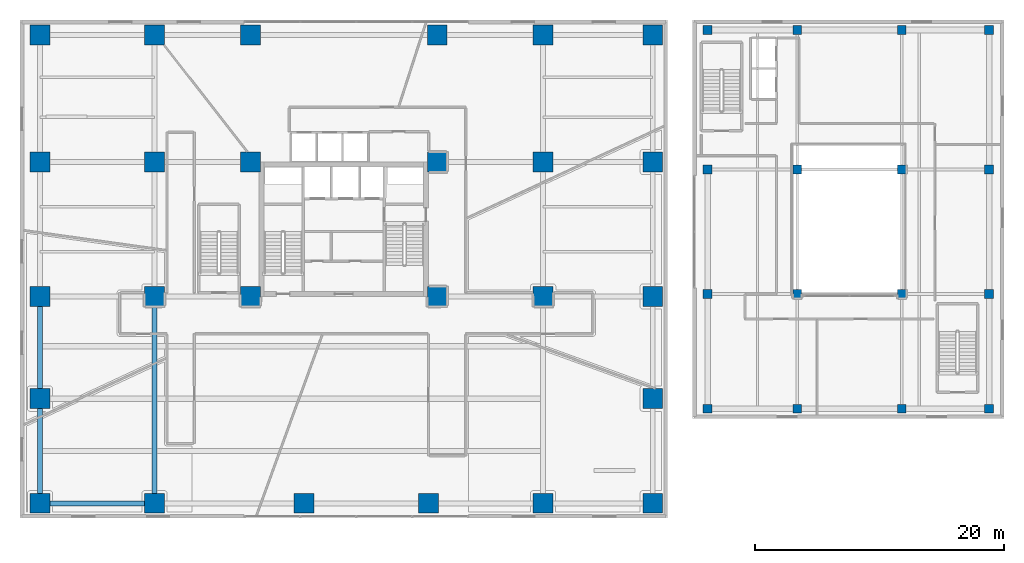
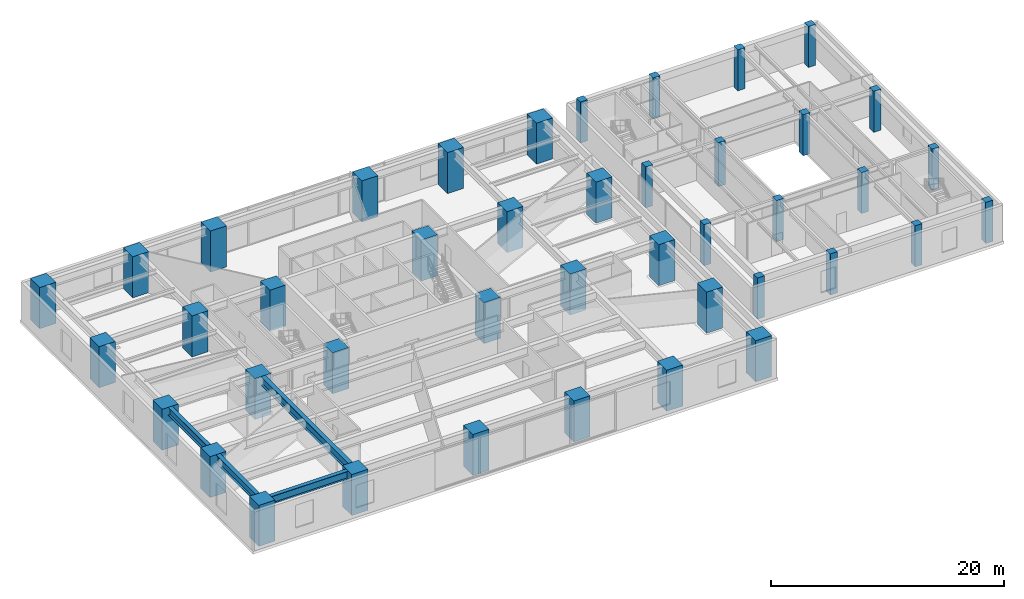
# One storey, part 1 of 25: 42 columns, 4 beams.
"""IFC4 building model written with IfcOpenShell, lengths in metres."""

from ifc_helpers import new_model, si_unit, direction, frame, origin, origin_2d, place, context, subcontext, project, spatial, rectangle, i_section, extrude, material, material_profile, profile_set, type_object, element, save


model = new_model("IFC4")

# Units and contexts
model_context = context("Model", 3, precision=1e-05, world=origin(), true_north=direction((0.0, 1.0)))
body_context = subcontext(model_context, "Body", "Model", "MODEL_VIEW")
ifc_project = project(units=[si_unit("LENGTHUNIT", "METRE"), si_unit("AREAUNIT", "SQUARE_METRE"), si_unit("VOLUMEUNIT", "CUBIC_METRE"), si_unit("PLANEANGLEUNIT", "RADIAN"), si_unit("MASSUNIT", "GRAM", prefix="KILO")], contexts=[model_context])

# Site, building, storey
site_placement = place(None, origin())
site = spatial("IfcSite", under=ifc_project, at=site_placement, CompositionType="ELEMENT")
building_placement = place(site_placement, origin())
building = spatial("IfcBuilding", under=site, at=building_placement, Name="Talar Marvaseh", CompositionType="ELEMENT")
storey_placement = place(building_placement, frame((0.0, 0.0, 5.199951171875)))
storey = spatial("IfcBuildingStorey", under=building, at=storey_placement, Name="L01", CompositionType="ELEMENT", Elevation=5.199951171875)

# Columns
ifc_material_1 = material(Name="Concrete C40/50", Category="concrete")
ifc_material_profile_1 = material_profile(ifc_material_1, rectangle(XDim=0.699951171875, YDim=0.699951171875, at=origin_2d()), Name="RC700x700")
ifc_profile_set_1 = profile_set([ifc_material_profile_1], Name="Concrete C40/50")
column_type_1 = type_object("IfcColumnType", Name="Market Hall Column RC700x700", PredefinedType="COLUMN", material=ifc_profile_set_1)
for number, where, z_axis, x_axis, name in (
    (1, (55.199951171875, 16.800048828125, 0.0), (0.0, 0.0, 1.0), (1.0, 0.0, 0.0), "L01 Market Hall Column RC700x700"),
    (2, (55.199951171875, 26.0, 0.0), (0.0, 0.0, 1.0), (1.0, 0.0, 0.0), "L01 Market Hall Column RC700x700"),
    (3, (55.199951171875, 36.0, 0.0), (0.0, 0.0, 1.0), (1.0, 0.0, 0.0), "L01 Market Hall Column RC700x700"),
    (4, (55.199951171875, 47.199951171875, 0.0), (0.0, 0.0, 1.0), (1.0, 0.0, 0.0), "L01 Market Hall Column RC700x700"),
    (5, (62.39990234375, 16.800048828125, 0.0), (0.0, 0.0, 1.0), (1.0, 0.0, 0.0), "L01 Market Hall Column RC700x700"),
    (6, (62.39990234375, 26.0, 0.0), (0.0, 0.0, 1.0), (1.0, 0.0, 0.0), "L01 Market Hall Column RC700x700"),
):
    element("IfcColumn", number, at=place(storey_placement, frame(where, z_axis=z_axis, x_axis=x_axis)), inside=storey, type_object=column_type_1, Name=name, PredefinedType="COLUMN", context=body_context, shape_type="SweptSolid", body=[
        extrude(rectangle(XDim=0.699951171875, YDim=0.699951171875, at=origin_2d()), origin(), (0.0, 0.0, 1.0), 4.300048828125),
    ])
column_placement = place(storey_placement, frame((62.39990234375, 36.0, -0.300048828125), z_axis=(0.0, 0.0, 1.0), x_axis=(1.0, 0.0, 0.0)))
element("IfcColumn", 7, at=column_placement, inside=storey, type_object=column_type_1, Name="L01 Market Hall Column RC700x700", PredefinedType="COLUMN", context=body_context, shape_type="SweptSolid", body=[
    extrude(rectangle(XDim=0.699951171875, YDim=0.699951171875, at=origin_2d()), origin(), (0.0, 0.0, 1.0), 4.60009765625),
])
for number, where, z_axis, x_axis, name in (
    (8, (62.39990234375, 47.199951171875, 0.0), (0.0, 0.0, 1.0), (1.0, 0.0, 0.0), "L01 Market Hall Column RC700x700"),
    (9, (70.800048828125, 16.800048828125, 0.0), (0.0, 0.0, 1.0), (1.0, 0.0, 0.0), "L01 Market Hall Column RC700x700"),
    (10, (70.800048828125, 26.0, 0.0), (0.0, 0.0, 1.0), (1.0, 0.0, 0.0), "L01 Market Hall Column RC700x700"),
    (11, (70.800048828125, 36.0, 0.0), (0.0, 0.0, 1.0), (1.0, 0.0, 0.0), "L01 Market Hall Column RC700x700"),
    (12, (70.800048828125, 47.199951171875, 0.0), (0.0, 0.0, 1.0), (1.0, 0.0, 0.0), "L01 Market Hall Column RC700x700"),
    (13, (77.800048828125, 16.800048828125, 0.0), (0.0, 0.0, 1.0), (1.0, 0.0, 0.0), "L01 Market Hall Column RC700x700"),
    (14, (77.800048828125, 26.0, 0.0), (0.0, 0.0, 1.0), (1.0, 0.0, 0.0), "L01 Market Hall Column RC700x700"),
    (15, (77.800048828125, 36.0, 0.0), (0.0, 0.0, 1.0), (1.0, 0.0, 0.0), "L01 Market Hall Column RC700x700"),
    (16, (77.800048828125, 47.199951171875, 0.0), (0.0, 0.0, 1.0), (1.0, 0.0, 0.0), "L01 Market Hall Column RC700x700"),
):
    element("IfcColumn", number, at=place(storey_placement, frame(where, z_axis=z_axis, x_axis=x_axis)), inside=storey, type_object=column_type_1, Name=name, PredefinedType="COLUMN", context=body_context, shape_type="SweptSolid", body=[
        extrude(rectangle(XDim=0.699951171875, YDim=0.699951171875, at=origin_2d()), origin(), (0.0, 0.0, 1.0), 4.300048828125),
    ])
ifc_material_2 = material(Name="Concrete C70/85", Category="concrete")
ifc_material_profile_2 = material_profile(ifc_material_2, rectangle(XDim=1.60009765625, YDim=1.60009765625, at=origin_2d()), Name="RC1600x1600")
ifc_profile_set_2 = profile_set([ifc_material_profile_2], Name="Concrete C70/85")
column_type_2 = type_object("IfcColumnType", Name="Tower Mega Column RC1600x1600", PredefinedType="COLUMN", material=ifc_profile_set_2)
for number, where, z_axis, x_axis, name in (
    (17, (1.60009765625, 9.199951171875, 0.0), (0.0, 0.0, 1.0), (1.0, 0.0, 0.0), "L01 Tower Mega Column RC1600x1600"),
    (18, (1.60009765625, 17.60009765625, 0.0), (0.0, 0.0, 1.0), (1.0, 0.0, 0.0), "L01 Tower Mega Column RC1600x1600"),
    (19, (1.60009765625, 25.800048828125, 0.0), (0.0, 0.0, 1.0), (1.0, 0.0, 0.0), "L01 Tower Mega Column RC1600x1600"),
    (20, (1.60009765625, 36.60009765625, 0.0), (0.0, 0.0, 1.0), (1.0, 0.0, 0.0), "L01 Tower Mega Column RC1600x1600"),
    (21, (1.60009765625, 46.800048828125, 0.0), (0.0, 0.0, 1.0), (1.0, 0.0, 0.0), "L01 Tower Mega Column RC1600x1600"),
    (22, (50.800048828125, 9.199951171875, 0.0), (0.0, 0.0, 1.0), (1.0, 0.0, 0.0), "L01 Tower Mega Column RC1600x1600"),
    (23, (50.800048828125, 17.60009765625, 0.0), (0.0, 0.0, 1.0), (1.0, 0.0, 0.0), "L01 Tower Mega Column RC1600x1600"),
    (24, (50.800048828125, 25.800048828125, 0.0), (0.0, 0.0, 1.0), (1.0, 0.0, 0.0), "L01 Tower Mega Column RC1600x1600"),
    (25, (50.800048828125, 36.60009765625, 0.0), (0.0, 0.0, 1.0), (1.0, 0.0, 0.0), "L01 Tower Mega Column RC1600x1600"),
    (26, (50.800048828125, 46.800048828125, 0.0), (0.0, 0.0, 1.0), (1.0, 0.0, 0.0), "L01 Tower Mega Column RC1600x1600"),
    (27, (10.800048828125, 9.199951171875, 0.0), (0.0, 0.0, 1.0), (1.0, 0.0, 0.0), "L01 Tower Mega Column RC1600x1600"),
    (28, (22.800048828125, 9.199951171875, 0.0), (0.0, 0.0, 1.0), (1.0, 0.0, 0.0), "L01 Tower Mega Column RC1600x1600"),
    (29, (32.800048828125, 9.199951171875, 0.0), (0.0, 0.0, 1.0), (1.0, 0.0, 0.0), "L01 Tower Mega Column RC1600x1600"),
    (30, (42.0, 9.199951171875, 0.0), (0.0, 0.0, 1.0), (1.0, 0.0, 0.0), "L01 Tower Mega Column RC1600x1600"),
    (31, (10.800048828125, 46.800048828125, 0.0), (0.0, 0.0, 1.0), (1.0, 0.0, 0.0), "L01 Tower Mega Column RC1600x1600"),
    (32, (18.5, 46.800048828125, 0.0), (0.0, 0.0, 1.0), (1.0, 0.0, 0.0), "L01 Tower Mega Column RC1600x1600"),
    (33, (33.5, 46.800048828125, 0.0), (0.0, 0.0, 1.0), (1.0, 0.0, 0.0), "L01 Tower Mega Column RC1600x1600"),
    (34, (42.0, 46.800048828125, 0.0), (0.0, 0.0, 1.0), (1.0, 0.0, 0.0), "L01 Tower Mega Column RC1600x1600"),
    (35, (10.800048828125, 25.800048828125, 0.0), (0.0, 0.0, 1.0), (1.0, 0.0, 0.0), "L01 Tower Mega Column RC1600x1600"),
    (36, (10.800048828125, 36.60009765625, 0.0), (0.0, 0.0, 1.0), (1.0, 0.0, 0.0), "L01 Tower Mega Column RC1600x1600"),
    (37, (18.5, 25.800048828125, 0.0), (0.0, 0.0, 1.0), (1.0, 0.0, 0.0), "L01 Tower Mega Column RC1600x1600"),
    (38, (18.5, 36.60009765625, 0.0), (0.0, 0.0, 1.0), (1.0, 0.0, 0.0), "L01 Tower Mega Column RC1600x1600"),
    (39, (33.5, 25.800048828125, 0.0), (0.0, 0.0, 1.0), (1.0, 0.0, 0.0), "L01 Tower Mega Column RC1600x1600"),
    (40, (33.5, 36.60009765625, 0.0), (0.0, 0.0, 1.0), (1.0, 0.0, 0.0), "L01 Tower Mega Column RC1600x1600"),
    (41, (42.0, 25.800048828125, 0.0), (0.0, 0.0, 1.0), (1.0, 0.0, 0.0), "L01 Tower Mega Column RC1600x1600"),
    (42, (42.0, 36.60009765625, 0.0), (0.0, 0.0, 1.0), (1.0, 0.0, 0.0), "L01 Tower Mega Column RC1600x1600"),
):
    element("IfcColumn", number, at=place(storey_placement, frame(where, z_axis=z_axis, x_axis=x_axis)), inside=storey, type_object=column_type_2, Name=name, PredefinedType="COLUMN", context=body_context, shape_type="SweptSolid", body=[
        extrude(rectangle(XDim=1.60009765625, YDim=1.60009765625, at=origin_2d()), origin(), (0.0, 0.0, 1.0), 4.300048828125),
    ])

# Beams
ifc_material_3 = material(Name="Steel S460", Category="steel")
ifc_material_profile_3 = material_profile(ifc_material_3, i_section(OverallWidth=0.41796875, OverallDepth=0.912109375, WebThickness=0.019287109375, FlangeThickness=0.031982421875, at=origin_2d()), Name="W920x342")
ifc_profile_set_3 = profile_set([ifc_material_profile_3], Name="Steel S460")
beam_type_1 = type_object("IfcBeamType", Name="Auditorium Long-Span Girder W920x342", PredefinedType="BEAM", material=ifc_profile_set_3)
beam_1_placement = place(storey_placement, frame((10.800048828125, 9.199951171875, 3.843994140625), z_axis=(0.0, 1.0, 0.0), x_axis=(-1.0, 0.0, 0.0)))
element("IfcBeam", 43, at=beam_1_placement, inside=storey, type_object=beam_type_1, Name="L01 Auditorium Long-Span Girder W920x342", PredefinedType="BEAM", context=body_context, shape_type="SweptSolid", body=[
    extrude(i_section(OverallWidth=0.41796875, OverallDepth=0.912109375, WebThickness=0.019287109375, FlangeThickness=0.031982421875, at=origin_2d()), origin(), (0.0, 0.0, 1.0), 16.60009765625),
])
ifc_material_4 = material(Name="Steel S355", Category="steel")
ifc_material_profile_4 = material_profile(ifc_material_4, i_section(OverallWidth=0.39990234375, OverallDepth=0.85498046875, WebThickness=0.018310546875, FlangeThickness=0.029296875, at=origin_2d()), Name="W840x299")
ifc_profile_set_4 = profile_set([ifc_material_profile_4], Name="Steel S355")
beam_type_2 = type_object("IfcBeamType", Name="Concourse Primary Girder W840x299", PredefinedType="BEAM", material=ifc_profile_set_4)
beam_2_placement = place(storey_placement, frame((1.60009765625, 9.199951171875, 3.87255859375), z_axis=(1.0, 0.0, 0.0), x_axis=(0.0, 1.0, 0.0)))
element("IfcBeam", 44, at=beam_2_placement, inside=storey, type_object=beam_type_2, Name="L01 Concourse Primary Girder W840x299", PredefinedType="BEAM", context=body_context, shape_type="SweptSolid", body=[
    extrude(i_section(OverallWidth=0.39990234375, OverallDepth=0.85498046875, WebThickness=0.018310546875, FlangeThickness=0.029296875, at=origin_2d()), origin(), (0.0, 0.0, 1.0), 9.199951171875),
])
beam_3_placement = place(storey_placement, frame((1.60009765625, 9.199951171875, 3.87255859375), z_axis=(0.0, 1.0, 0.0), x_axis=(-1.0, 0.0, 0.0)))
element("IfcBeam", 45, at=beam_3_placement, inside=storey, type_object=beam_type_2, Name="L01 Concourse Primary Girder W840x299", PredefinedType="BEAM", context=body_context, shape_type="SweptSolid", body=[
    extrude(i_section(OverallWidth=0.39990234375, OverallDepth=0.85498046875, WebThickness=0.018310546875, FlangeThickness=0.029296875, at=origin_2d()), origin(), (0.0, 0.0, 1.0), 8.400146484375),
])
beam_4_placement = place(storey_placement, frame((1.60009765625, 17.60009765625, 3.87255859375), z_axis=(0.0, 1.0, 0.0), x_axis=(-1.0, 0.0, 0.0)))
element("IfcBeam", 46, at=beam_4_placement, inside=storey, type_object=beam_type_2, Name="L01 Concourse Primary Girder W840x299", PredefinedType="BEAM", context=body_context, shape_type="SweptSolid", body=[
    extrude(i_section(OverallWidth=0.39990234375, OverallDepth=0.85498046875, WebThickness=0.018310546875, FlangeThickness=0.029296875, at=origin_2d()), origin(), (0.0, 0.0, 1.0), 8.199951171875),
])

save(model, "model.ifc")
